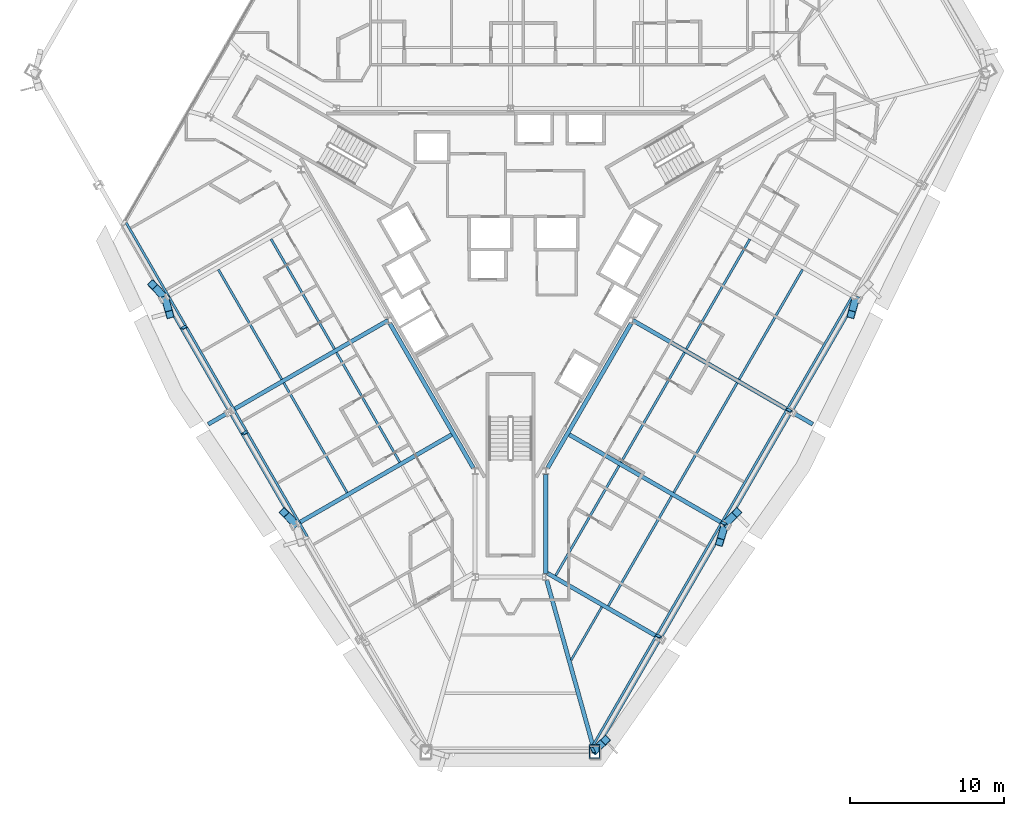
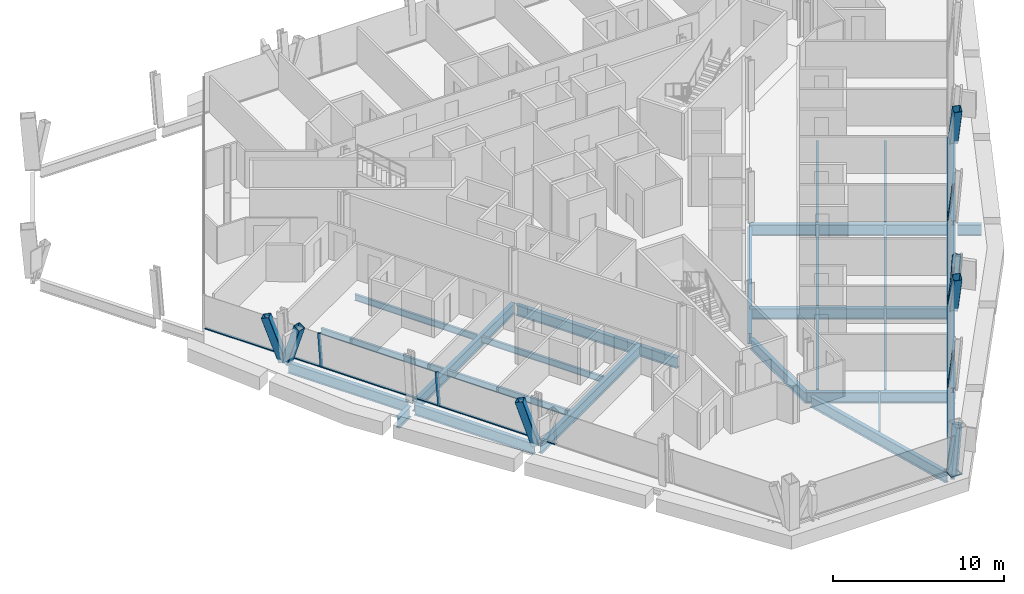
# One storey, part 3 of 17: 28 beams, 21 members, 2 elements without a shape of their own.
"""IFC4 building model written with IfcOpenShell, lengths in metres."""

from ifc_helpers import new_model, si_unit, direction, frame, origin, origin_2d, place, context, subcontext, project, spatial, rectangle, hollow_rectangle, i_section, extrude, material, material_profile, profile_set, type_object, element, aggregate, save


model = new_model("IFC4")

# Units and contexts
model_context = context("Model", 3, precision=1e-05, world=origin(), true_north=direction((0.0, 1.0)))
body_context = subcontext(model_context, "Body", "Model", "MODEL_VIEW")
ifc_project = project(units=[si_unit("LENGTHUNIT", "METRE"), si_unit("AREAUNIT", "SQUARE_METRE"), si_unit("VOLUMEUNIT", "CUBIC_METRE"), si_unit("PLANEANGLEUNIT", "RADIAN"), si_unit("MASSUNIT", "GRAM", prefix="KILO")], contexts=[model_context])

# Site, building, storey
site_placement = place(None, origin())
site = spatial("IfcSite", under=ifc_project, at=site_placement, CompositionType="ELEMENT")
building_placement = place(site_placement, origin())
building = spatial("IfcBuilding", under=site, at=building_placement, Name="Verrane Prism Tower", CompositionType="ELEMENT")
storey_placement = place(building_placement, frame((0.0, 0.0, 62.0)))
storey = spatial("IfcBuildingStorey", under=building, at=storey_placement, Name="L13", CompositionType="ELEMENT", Elevation=62.0)

# Beams
ifc_material_1 = material(Name="Steel A992", Category="steel")
ifc_material_profile_1 = material_profile(ifc_material_1, i_section(OverallWidth=0.2666015625, OverallDepth=0.7568359375, WebThickness=0.013916015625, FlangeThickness=0.019287109375, FilletRadius=0.0166015625, at=origin_2d()), Name="W30x108")
ifc_profile_set_1 = profile_set([ifc_material_profile_1], Name="Steel A992")
beam_type_1 = type_object("IfcBeamType", Name="Core ring girder W30x108", PredefinedType="BEAM", material=ifc_profile_set_1)
beam_1_placement = place(storey_placement, frame((-7.849609375, -4.808349609375, -0.62841796875), z_axis=(0.500013103396, -0.866017838403, 0.0), x_axis=(0.866017838403, 0.500013103396, 0.0)))
element("IfcBeam", 1, at=beam_1_placement, inside=storey, type_object=beam_type_1, Name="Core ring girder L13", PredefinedType="BEAM", context=body_context, shape_type="SweptSolid", body=[
    extrude(i_section(OverallWidth=0.2666015625, OverallDepth=0.7568359375, WebThickness=0.013916015625, FlangeThickness=0.019287109375, FilletRadius=0.0166015625, at=origin_2d()), origin(), (0.0, 0.0, 1.0), 10.858154296875),
])
beam_2_placement = place(storey_placement, frame((2.300048828125, -21.07275390625, -0.62841796875), z_axis=(0.0, 1.0, 0.0), x_axis=(-1.0, 0.0, 0.0)))
element("IfcBeam", 2, at=beam_2_placement, inside=storey, type_object=beam_type_1, Name="Core ring girder L13", PredefinedType="BEAM", context=body_context, shape_type="SweptSolid", body=[
    extrude(i_section(OverallWidth=0.2666015625, OverallDepth=0.7568359375, WebThickness=0.013916015625, FlangeThickness=0.019287109375, FilletRadius=0.0166015625, at=origin_2d()), origin(), (0.0, 0.0, 1.0), 6.4443359375),
])
beam_3_placement = place(storey_placement, frame((2.42041015625, -14.211669921875, -0.62841796875), z_axis=(0.500013103396, 0.866017838403, 0.0), x_axis=(-0.866017838403, 0.500013103396, 0.0)))
element("IfcBeam", 3, at=beam_3_placement, inside=storey, type_object=beam_type_1, Name="Core ring girder L13", PredefinedType="BEAM", context=body_context, shape_type="SweptSolid", body=[
    extrude(i_section(OverallWidth=0.2666015625, OverallDepth=0.7568359375, WebThickness=0.013916015625, FlangeThickness=0.019287109375, FilletRadius=0.0166015625, at=origin_2d()), origin(), (0.0, 0.0, 1.0), 10.858154296875),
])
ifc_material_2 = material(Name="Steel A992", Category="steel")
ifc_material_profile_2 = material_profile(ifc_material_2, i_section(OverallWidth=0.2666015625, OverallDepth=0.76708984375, WebThickness=0.014892578125, FlangeThickness=0.023681640625, FilletRadius=0.0166015625, at=origin_2d()), Name="W30x124")
ifc_profile_set_2 = profile_set([ifc_material_profile_2], Name="Steel A992")
beam_type_2 = type_object("IfcBeamType", Name="Corner girder W30x124", PredefinedType="BEAM", material=ifc_profile_set_2)
beam_4_placement = place(storey_placement, frame((5.344482421875, -32.2099609375, -0.603515625), z_axis=(-0.268799442753, 0.963196168792, 0.0), x_axis=(-0.963196168792, -0.268799442753, 0.0)))
element("IfcBeam", 4, at=beam_4_placement, inside=storey, type_object=beam_type_2, Name="Corner girder L13", PredefinedType="BEAM", context=body_context, shape_type="SweptSolid", body=[
    extrude(i_section(OverallWidth=0.2666015625, OverallDepth=0.76708984375, WebThickness=0.014892578125, FlangeThickness=0.023681640625, FilletRadius=0.0166015625, at=origin_2d()), origin(), (0.0, 0.0, 1.0), 11.0908203125),
])

# Members
ifc_material_3 = material(Name="Steel A1085 Grade A", Category="steel")
ifc_material_profile_3 = material_profile(ifc_material_3, hollow_rectangle(XDim=0.508056640625, YDim=0.508056640625, WallThickness=0.025390625, InnerFilletRadius=0.0126953125, OuterFilletRadius=0.0380859375, at=origin_2d()), Name="HSS20x20x1")
ifc_profile_set_3 = profile_set([ifc_material_profile_3], Name="Steel A1085 Grade A")
member_type_1 = type_object("IfcMemberType", Name="Facade brace HSS20x20x1", PredefinedType="BRACE", material=ifc_profile_set_3)
member_1_placement = place(storey_placement, frame((-22.56982421875, -3.055908203125, -0.197509765625), z_axis=(-0.232509102274, 0.248391929987, 0.940340877808), x_axis=(-0.730062490855, -0.683380391471, 0.0)))
element("IfcMember", 5, at=member_1_placement, inside=storey, type_object=member_type_1, Name="Facade brace SW1 L13", PredefinedType="BRACE", context=body_context, shape_type="SweptSolid", body=[
    extrude(hollow_rectangle(XDim=0.508056640625, YDim=0.508056640625, WallThickness=0.025390625, InnerFilletRadius=0.0126953125, OuterFilletRadius=0.0380859375, at=origin_2d()), origin(), (0.0, 0.0, 1.0), 3.151123046875),
])
member_2_placement = place(storey_placement, frame((-22.4541015625, -3.256591796875, -0.197509765625), z_axis=(0.087660798682, -0.307788538917, 0.947407937314), x_axis=(0.961753718089, 0.273915654429, 0.0)))
element("IfcMember", 6, at=member_2_placement, inside=storey, type_object=member_type_1, Name="Facade brace SW2 L13", PredefinedType="BRACE", context=body_context, shape_type="SweptSolid", body=[
    extrude(hollow_rectangle(XDim=0.508056640625, YDim=0.508056640625, WallThickness=0.025390625, InnerFilletRadius=0.0126953125, OuterFilletRadius=0.0380859375, at=origin_2d()), origin(), (0.0, 0.0, 1.0), 3.127685546875),
])
member_3_placement = place(storey_placement, frame((-14.045654296875, -17.813720703125, -0.197509765625), z_axis=(-0.223616513459, 0.227988903387, 0.947637438497), x_axis=(-0.713919444733, -0.700227838944, 0.0)))
element("IfcMember", 7, at=member_3_placement, inside=storey, type_object=member_type_1, Name="Facade brace SW3 L13", PredefinedType="BRACE", context=body_context, shape_type="SweptSolid", body=[
    extrude(hollow_rectangle(XDim=0.508056640625, YDim=0.508056640625, WallThickness=0.025390625, InnerFilletRadius=0.0126953125, OuterFilletRadius=0.0380859375, at=origin_2d()), origin(), (0.0, 0.0, 1.0), 3.126953125),
])
member_4_placement = place(storey_placement, frame((5.521240234375, -32.5712890625, -0.197509765625), z_axis=(0.21415383101, 0.207390250596, 0.954529947472), x_axis=(-0.695671871863, 0.718359691727, 0.0)))
element("IfcMember", 8, at=member_4_placement, inside=storey, type_object=member_type_1, Name="Facade brace SE0 L13", PredefinedType="BRACE", context=body_context, shape_type="SweptSolid", body=[
    extrude(hollow_rectangle(XDim=0.508056640625, YDim=0.508056640625, WallThickness=0.025390625, InnerFilletRadius=0.0126953125, OuterFilletRadius=0.0380859375, at=origin_2d()), origin(), (0.0, 0.0, 1.0), 3.104248046875),
])
member_5_placement = place(storey_placement, frame((13.9296875, -18.014404296875, -0.197509765625), z_axis=(-0.097885536817, -0.327111161009, 0.939902500276), x_axis=(0.958025808955, -0.286681965558, 0.0)))
element("IfcMember", 9, at=member_5_placement, inside=storey, type_object=member_type_1, Name="Facade brace SE1 L13", PredefinedType="BRACE", context=body_context, shape_type="SweptSolid", body=[
    extrude(hollow_rectangle(XDim=0.508056640625, YDim=0.508056640625, WallThickness=0.025390625, InnerFilletRadius=0.0126953125, OuterFilletRadius=0.0380859375, at=origin_2d()), origin(), (0.0, 0.0, 1.0), 3.152587890625),
])
member_6_placement = place(storey_placement, frame((14.045654296875, -17.813720703125, -0.197509765625), z_axis=(0.223616513459, 0.227988903387, 0.947637438497), x_axis=(-0.713919444733, 0.700227838944, 0.0)))
element("IfcMember", 10, at=member_6_placement, inside=storey, type_object=member_type_1, Name="Facade brace SE2 L13", PredefinedType="BRACE", context=body_context, shape_type="SweptSolid", body=[
    extrude(hollow_rectangle(XDim=0.508056640625, YDim=0.508056640625, WallThickness=0.025390625, InnerFilletRadius=0.0126953125, OuterFilletRadius=0.0380859375, at=origin_2d()), origin(), (0.0, 0.0, 1.0), 3.126953125),
])
member_7_placement = place(storey_placement, frame((22.4541015625, -3.256591796875, -0.197509765625), z_axis=(-0.087660798682, -0.307788538917, 0.947407937314), x_axis=(0.961753718089, -0.273915654429, 0.0)))
element("IfcMember", 11, at=member_7_placement, inside=storey, type_object=member_type_1, Name="Facade brace SE3 L13", PredefinedType="BRACE", context=body_context, shape_type="SweptSolid", body=[
    extrude(hollow_rectangle(XDim=0.508056640625, YDim=0.508056640625, WallThickness=0.025390625, InnerFilletRadius=0.0126953125, OuterFilletRadius=0.0380859375, at=origin_2d()), origin(), (0.0, 0.0, 1.0), 3.127685546875),
])

# Beams
ifc_material_4 = material(Name="Steel A992", Category="steel")
ifc_material_profile_4 = material_profile(ifc_material_4, i_section(OverallWidth=0.140380859375, OverallDepth=0.40380859375, WebThickness=0.007080078125, FlangeThickness=0.01123046875, FilletRadius=0.01025390625, at=origin_2d()), Name="W16x31")
ifc_profile_set_4 = profile_set([ifc_material_profile_4], Name="Steel A992")
beam_type_3 = type_object("IfcBeamType", Name="Floor beam W16x31", PredefinedType="BEAM", material=ifc_profile_set_4)
beam_5_placement = place(storey_placement, frame((3.950927734375, -26.719970703125, -0.36181640625), z_axis=(0.499997556188, 0.866026814715, 0.0), x_axis=(-0.866026814715, 0.499997556188, 0.0)))
element("IfcBeam", 12, at=beam_5_placement, inside=storey, type_object=beam_type_3, Name="Floor beam L13", PredefinedType="BEAM", context=body_context, shape_type="SweptSolid", body=[
    extrude(i_section(OverallWidth=0.140380859375, OverallDepth=0.40380859375, WebThickness=0.007080078125, FlangeThickness=0.01123046875, FilletRadius=0.01025390625, at=origin_2d()), origin(), (0.0, 0.0, 1.0), 3.99462890625),
])
ifc_material_5 = material(Name="Steel A992", Category="steel")
ifc_material_profile_5 = material_profile(ifc_material_5, i_section(OverallWidth=0.15234375, OverallDepth=0.449462890625, WebThickness=0.007568359375, FlangeThickness=0.0107421875, FilletRadius=0.01025390625, at=origin_2d()), Name="W18x35")
ifc_profile_set_5 = profile_set([ifc_material_profile_5], Name="Steel A992")
beam_type_4 = type_object("IfcBeamType", Name="Floor beam W18x35", PredefinedType="BEAM", material=ifc_profile_set_5)
beam_6_placement = place(storey_placement, frame((-11.4580078125, -6.461181640625, -0.384765625), z_axis=(-0.500002492643, 0.866023964651, 0.0), x_axis=(-0.866023964651, -0.500002492643, 0.0)))
element("IfcBeam", 13, at=beam_6_placement, inside=storey, type_object=beam_type_4, Name="Floor beam L13", PredefinedType="BEAM", context=body_context, shape_type="SweptSolid", body=[
    extrude(i_section(OverallWidth=0.15234375, OverallDepth=0.449462890625, WebThickness=0.007568359375, FlangeThickness=0.0107421875, FilletRadius=0.01025390625, at=origin_2d()), origin(), (0.0, 0.0, 1.0), 8.2509765625),
])
beam_7_placement = place(storey_placement, frame((-14.887451171875, -8.44287109375, -0.384765625), z_axis=(-0.499992194788, 0.866029910079, 0.0), x_axis=(-0.866029910079, -0.499992194788, 0.0)))
element("IfcBeam", 14, at=beam_7_placement, inside=storey, type_object=beam_type_4, Name="Floor beam L13", PredefinedType="BEAM", context=body_context, shape_type="SweptSolid", body=[
    extrude(i_section(OverallWidth=0.15234375, OverallDepth=0.449462890625, WebThickness=0.007568359375, FlangeThickness=0.0107421875, FilletRadius=0.01025390625, at=origin_2d()), origin(), (0.0, 0.0, 1.0), 8.252685546875),
])
beam_8_placement = place(storey_placement, frame((-7.2041015625, -13.841552734375, -0.384765625), z_axis=(-0.499999059579, 0.866025946736, 0.0), x_axis=(-0.866025946736, -0.499999059579, 0.0)))
element("IfcBeam", 15, at=beam_8_placement, inside=storey, type_object=beam_type_4, Name="Floor beam L13", PredefinedType="BEAM", context=body_context, shape_type="SweptSolid", body=[
    extrude(i_section(OverallWidth=0.15234375, OverallDepth=0.449462890625, WebThickness=0.007568359375, FlangeThickness=0.0107421875, FilletRadius=0.01025390625, at=origin_2d()), origin(), (0.0, 0.0, 1.0), 8.25146484375),
])
beam_9_placement = place(storey_placement, frame((-10.63232421875, -15.819091796875, -0.384765625), z_axis=(-0.499994031393, 0.866028849734, 0.0), x_axis=(-0.866028849734, -0.499994031393, 0.0)))
element("IfcBeam", 16, at=beam_9_placement, inside=storey, type_object=beam_type_4, Name="Floor beam L13", PredefinedType="BEAM", context=body_context, shape_type="SweptSolid", body=[
    extrude(i_section(OverallWidth=0.15234375, OverallDepth=0.449462890625, WebThickness=0.007568359375, FlangeThickness=0.0107421875, FilletRadius=0.01025390625, at=origin_2d()), origin(), (0.0, 0.0, 1.0), 8.24853515625),
])
beam_10_placement = place(storey_placement, frame((6.370361328125, -23.196044921875, -0.384765625), z_axis=(0.499992194788, 0.866029910079, 0.0), x_axis=(-0.866029910079, 0.499992194788, 0.0)))
element("IfcBeam", 17, at=beam_10_placement, inside=storey, type_object=beam_type_4, Name="Floor beam L13", PredefinedType="BEAM", context=body_context, shape_type="SweptSolid", body=[
    extrude(i_section(OverallWidth=0.15234375, OverallDepth=0.449462890625, WebThickness=0.007568359375, FlangeThickness=0.0107421875, FilletRadius=0.01025390625, at=origin_2d()), origin(), (0.0, 0.0, 1.0), 8.252685546875),
])
beam_11_placement = place(storey_placement, frame((2.944091796875, -21.2177734375, -0.384765625), z_axis=(0.499989680267, 0.866031361803, 0.0), x_axis=(-0.866031361803, 0.499989680267, 0.0)))
element("IfcBeam", 18, at=beam_11_placement, inside=storey, type_object=beam_type_4, Name="Floor beam L13", PredefinedType="BEAM", context=body_context, shape_type="SweptSolid", body=[
    extrude(i_section(OverallWidth=0.15234375, OverallDepth=0.449462890625, WebThickness=0.007568359375, FlangeThickness=0.0107421875, FilletRadius=0.01025390625, at=origin_2d()), origin(), (0.0, 0.0, 1.0), 8.251220703125),
])
beam_12_placement = place(storey_placement, frame((10.63232421875, -15.819091796875, -0.384765625), z_axis=(0.499994031393, 0.866028849734, 0.0), x_axis=(-0.866028849734, 0.499994031393, 0.0)))
element("IfcBeam", 19, at=beam_12_placement, inside=storey, type_object=beam_type_4, Name="Floor beam L13", PredefinedType="BEAM", context=body_context, shape_type="SweptSolid", body=[
    extrude(i_section(OverallWidth=0.15234375, OverallDepth=0.449462890625, WebThickness=0.007568359375, FlangeThickness=0.0107421875, FilletRadius=0.01025390625, at=origin_2d()), origin(), (0.0, 0.0, 1.0), 8.24853515625),
])
beam_13_placement = place(storey_placement, frame((7.2041015625, -13.841552734375, -0.384765625), z_axis=(0.499999059579, 0.866025946736, 0.0), x_axis=(-0.866025946736, 0.499999059579, 0.0)))
element("IfcBeam", 20, at=beam_13_placement, inside=storey, type_object=beam_type_4, Name="Floor beam L13", PredefinedType="BEAM", context=body_context, shape_type="SweptSolid", body=[
    extrude(i_section(OverallWidth=0.15234375, OverallDepth=0.449462890625, WebThickness=0.007568359375, FlangeThickness=0.0107421875, FilletRadius=0.01025390625, at=origin_2d()), origin(), (0.0, 0.0, 1.0), 8.25146484375),
])
beam_14_placement = place(storey_placement, frame((14.887451171875, -8.44287109375, -0.384765625), z_axis=(0.499992194788, 0.866029910079, 0.0), x_axis=(-0.866029910079, 0.499992194788, 0.0)))
element("IfcBeam", 21, at=beam_14_placement, inside=storey, type_object=beam_type_4, Name="Floor beam L13", PredefinedType="BEAM", context=body_context, shape_type="SweptSolid", body=[
    extrude(i_section(OverallWidth=0.15234375, OverallDepth=0.449462890625, WebThickness=0.007568359375, FlangeThickness=0.0107421875, FilletRadius=0.01025390625, at=origin_2d()), origin(), (0.0, 0.0, 1.0), 8.252685546875),
])
beam_15_placement = place(storey_placement, frame((11.4580078125, -6.461181640625, -0.384765625), z_axis=(0.500002492643, 0.866023964651, 0.0), x_axis=(-0.866023964651, 0.500002492643, 0.0)))
element("IfcBeam", 22, at=beam_15_placement, inside=storey, type_object=beam_type_4, Name="Floor beam L13", PredefinedType="BEAM", context=body_context, shape_type="SweptSolid", body=[
    extrude(i_section(OverallWidth=0.15234375, OverallDepth=0.449462890625, WebThickness=0.007568359375, FlangeThickness=0.0107421875, FilletRadius=0.01025390625, at=origin_2d()), origin(), (0.0, 0.0, 1.0), 8.2509765625),
])

# Member
ifc_material_6 = material(Name="Steel A572 Grade 50", Category="steel")
ifc_material_profile_6 = material_profile(ifc_material_6, hollow_rectangle(XDim=0.699951171875, YDim=0.89990234375, WallThickness=0.06494140625, at=origin_2d()), Name="BOX 900x700x65")
ifc_profile_set_6 = profile_set([ifc_material_profile_6], Name="Steel A572 Grade 50")
member_type_2 = type_object("IfcMemberType", Name="Kink node BOX 900x700x65", PredefinedType="COLLAR", material=ifc_profile_set_6)
member_8_placement = place(storey_placement, frame((5.470947265625, -32.66162109375, -0.0400390625), z_axis=(0.0, 0.0, 1.0), x_axis=(-1.0, 0.0, 0.0)))
element("IfcMember", 23, at=member_8_placement, inside=storey, type_object=member_type_2, Name="Kink node MC3 L13", PredefinedType="COLLAR", context=body_context, shape_type="SweptSolid", body=[
    extrude(hollow_rectangle(XDim=0.699951171875, YDim=0.89990234375, WallThickness=0.06494140625, at=origin_2d()), origin(), (0.0, 0.0, 1.0), 0.080078125),
])

# Curtain wall, members
ifc_material_7 = material(Name="Aluminium framed insulated glazing", Category="aluminium")
curtain_wall_type = type_object("IfcCurtainWallType", Name="Curtain wall CW-A 8400 module", PredefinedType="NOTDEFINED", material=ifc_material_7)
curtain_wall_1_placement = place(storey_placement, origin())
curtain_wall_1 = element("IfcCurtainWall", 24, at=curtain_wall_1_placement, inside=storey, type_object=curtain_wall_type, Name="Glazed curtain wall south-west face L13", PredefinedType="NOTDEFINED")
ifc_material_8 = material(Name="Aluminium alloy 6063-T6", Category="aluminium")
ifc_material_profile_7 = material_profile(ifc_material_8, rectangle(XDim=0.199951171875, YDim=0.070068359375, at=origin_2d()), Name="Mullion 70x200 aluminium")
ifc_profile_set_7 = profile_set([ifc_material_profile_7], Name="Aluminium alloy 6063-T6")
member_type_3 = type_object("IfcMemberType", Name="Mullion 70x200 aluminium", PredefinedType="MULLION", material=ifc_profile_set_7)
member_9_placement = place(storey_placement, frame((-21.123046875, -4.995849609375, 0.0), z_axis=(-0.098771561601, -0.057090705249, 0.99347110174), x_axis=(0.863445209619, -0.501207124806, 0.057041984795)))
member_9 = element("IfcMember", 25, at=member_9_placement, type_object=member_type_3, Name="CW12.4 mullion 2", PredefinedType="MULLION", context=body_context, shape_type="SweptSolid", body=[
    extrude(rectangle(XDim=0.199951171875, YDim=0.070068359375, at=origin_2d()), origin(), (0.0, 0.0, 1.0), 2.6298828125),
])
member_10_placement = place(storey_placement, frame((-17.1591796875, -11.861328125, 0.0), z_axis=(-0.098771561601, -0.057090705249, 0.99347110174), x_axis=(0.863445209619, -0.501207124806, 0.057041984795)))
member_10 = element("IfcMember", 26, at=member_10_placement, type_object=member_type_3, Name="CW12.4 mullion 3", PredefinedType="MULLION", context=body_context, shape_type="SweptSolid", body=[
    extrude(rectangle(XDim=0.199951171875, YDim=0.070068359375, at=origin_2d()), origin(), (0.0, 0.0, 1.0), 2.6298828125),
])

curtain_wall_2_placement = place(storey_placement, origin())
curtain_wall_2 = element("IfcCurtainWall", 27, at=curtain_wall_2_placement, inside=storey, type_object=curtain_wall_type, Name="Glazed curtain wall south-east face L13", PredefinedType="NOTDEFINED")
member_11_placement = place(storey_placement, frame((5.285400390625, -32.427490234375, 0.0), z_axis=(0.058948163504, -0.125299550054, 0.99036616298), x_axis=(-0.994435053625, 0.07940540267, 0.069236595438)))
member_11 = element("IfcMember", 28, at=member_11_placement, type_object=member_type_3, Name="CW12.6 mullion 1", PredefinedType="MULLION", context=body_context, shape_type="SweptSolid", body=[
    extrude(rectangle(XDim=0.199951171875, YDim=0.070068359375, at=origin_2d()), origin(), (0.0, 0.0, 1.0), 2.63818359375),
])
member_12_placement = place(storey_placement, frame((9.513671875, -25.103515625, 0.0), z_axis=(0.098771561601, -0.057090705249, 0.99347110174), x_axis=(-0.863445118187, -0.501207284397, 0.057041966534)))
member_12 = element("IfcMember", 29, at=member_12_placement, type_object=member_type_3, Name="CW12.6 mullion 2", PredefinedType="MULLION", context=body_context, shape_type="SweptSolid", body=[
    extrude(rectangle(XDim=0.199951171875, YDim=0.070068359375, at=origin_2d()), origin(), (0.0, 0.0, 1.0), 2.6298828125),
])
member_13_placement = place(storey_placement, frame((13.759521484375, -17.74951171875, 0.0), z_axis=(0.098863485114, -0.057090181545, 0.993461988444), x_axis=(-0.863237153719, -0.501560867318, 0.057081632901)))
member_13 = element("IfcMember", 30, at=member_13_placement, type_object=member_type_3, Name="CW12.6 mullion 3", PredefinedType="MULLION", context=body_context, shape_type="SweptSolid", body=[
    extrude(rectangle(XDim=0.199951171875, YDim=0.070068359375, at=origin_2d()), origin(), (0.0, 0.0, 1.0), 2.6298828125),
])
member_14_placement = place(storey_placement, frame((18.005615234375, -10.3955078125, 0.0), z_axis=(0.098772084644, -0.056998176665, 0.993476362654), x_axis=(-0.863093944803, -0.501814377816, 0.057019055251)))
member_14 = element("IfcMember", 31, at=member_14_placement, type_object=member_type_3, Name="CW12.6 mullion 4", PredefinedType="MULLION", context=body_context, shape_type="SweptSolid", body=[
    extrude(rectangle(XDim=0.199951171875, YDim=0.070068359375, at=origin_2d()), origin(), (0.0, 0.0, 1.0), 2.6298828125),
])

# Beams
ifc_material_9 = material(Name="Steel A992", Category="steel")
ifc_material_profile_8 = material_profile(ifc_material_9, i_section(OverallWidth=0.2666015625, OverallDepth=0.76708984375, WebThickness=0.014892578125, FlangeThickness=0.023681640625, FilletRadius=0.0166015625, at=origin_2d()), Name="W30x124")
ifc_profile_set_8 = profile_set([ifc_material_profile_8], Name="Steel A992")
beam_type_5 = type_object("IfcBeamType", Name="Radial girder W30x124", PredefinedType="BEAM", material=ifc_profile_set_8)
beam_16_placement = place(storey_placement, frame((-18.02001953125, -10.4072265625, -0.603515625), z_axis=(0.866018505729, 0.500011947592, 0.0), x_axis=(-0.500011947592, 0.866018505729, 0.0)))
element("IfcBeam", 32, at=beam_16_placement, inside=storey, type_object=beam_type_5, Name="Radial girder L13", PredefinedType="BEAM", context=body_context, shape_type="SweptSolid", body=[
    extrude(i_section(OverallWidth=0.2666015625, OverallDepth=0.76708984375, WebThickness=0.014892578125, FlangeThickness=0.023681640625, FilletRadius=0.0166015625, at=origin_2d()), origin(), (0.0, 0.0, 1.0), 11.607177734375),
])
beam_17_placement = place(storey_placement, frame((-13.760009765625, -17.77734375, -0.603515625), z_axis=(0.86601774804, 0.500013259905, 0.0), x_axis=(-0.500013259905, 0.86601774804, 0.0)))
element("IfcBeam", 33, at=beam_17_placement, inside=storey, type_object=beam_type_5, Name="Radial girder L13", PredefinedType="BEAM", context=body_context, shape_type="SweptSolid", body=[
    extrude(i_section(OverallWidth=0.2666015625, OverallDepth=0.76708984375, WebThickness=0.014892578125, FlangeThickness=0.023681640625, FilletRadius=0.0166015625, at=origin_2d()), origin(), (0.0, 0.0, 1.0), 11.603271484375),
])
beam_18_placement = place(storey_placement, frame((9.5, -25.1572265625, -0.603515625), z_axis=(-0.86602078527, 0.500007999416, 0.0), x_axis=(-0.500007999416, -0.86602078527, 0.0)))
element("IfcBeam", 34, at=beam_18_placement, inside=storey, type_object=beam_type_5, Name="Radial girder L13", PredefinedType="BEAM", context=body_context, shape_type="SweptSolid", body=[
    extrude(i_section(OverallWidth=0.2666015625, OverallDepth=0.76708984375, WebThickness=0.014892578125, FlangeThickness=0.023681640625, FilletRadius=0.0166015625, at=origin_2d()), origin(), (0.0, 0.0, 1.0), 8.313720703125),
])
beam_19_placement = place(storey_placement, frame((13.760009765625, -17.77734375, -0.603515625), z_axis=(-0.86601774804, 0.500013259905, 0.0), x_axis=(-0.500013259905, -0.86601774804, 0.0)))
element("IfcBeam", 35, at=beam_19_placement, inside=storey, type_object=beam_type_5, Name="Radial girder L13", PredefinedType="BEAM", context=body_context, shape_type="SweptSolid", body=[
    extrude(i_section(OverallWidth=0.2666015625, OverallDepth=0.76708984375, WebThickness=0.014892578125, FlangeThickness=0.023681640625, FilletRadius=0.0166015625, at=origin_2d()), origin(), (0.0, 0.0, 1.0), 11.603271484375),
])
beam_20_placement = place(storey_placement, frame((18.02001953125, -10.4072265625, -0.603515625), z_axis=(-0.866018505729, 0.500011947592, 0.0), x_axis=(-0.500011947592, -0.866018505729, 0.0)))
element("IfcBeam", 36, at=beam_20_placement, inside=storey, type_object=beam_type_5, Name="Radial girder L13", PredefinedType="BEAM", context=body_context, shape_type="SweptSolid", body=[
    extrude(i_section(OverallWidth=0.2666015625, OverallDepth=0.76708984375, WebThickness=0.014892578125, FlangeThickness=0.023681640625, FilletRadius=0.0166015625, at=origin_2d()), origin(), (0.0, 0.0, 1.0), 11.607177734375),
])
beam_21_placement = place(storey_placement, frame((-18.476318359375, -10.670654296875, -0.603515625), z_axis=(-0.866036123695, -0.499981432111, 0.0), x_axis=(0.499981432111, -0.866036123695, 0.0)))
element("IfcBeam", 37, at=beam_21_placement, inside=storey, type_object=beam_type_5, Name="Cantilever girder L13", PredefinedType="BEAM", context=body_context, shape_type="SweptSolid", body=[
    extrude(i_section(OverallWidth=0.2666015625, OverallDepth=0.76708984375, WebThickness=0.014892578125, FlangeThickness=0.023681640625, FilletRadius=0.0166015625, at=origin_2d()), origin(), (0.0, 0.0, 1.0), 1.38720703125),
])
beam_22_placement = place(storey_placement, frame((18.476318359375, -10.670654296875, -0.603515625), z_axis=(0.866047903128, -0.499961027969, 0.0), x_axis=(0.499961027969, 0.866047903128, 0.0)))
element("IfcBeam", 38, at=beam_22_placement, inside=storey, type_object=beam_type_5, Name="Cantilever girder L13", PredefinedType="BEAM", context=body_context, shape_type="SweptSolid", body=[
    extrude(i_section(OverallWidth=0.2666015625, OverallDepth=0.76708984375, WebThickness=0.014892578125, FlangeThickness=0.023681640625, FilletRadius=0.0166015625, at=origin_2d()), origin(), (0.0, 0.0, 1.0), 1.3876953125),
])
ifc_material_10 = material(Name="Steel A992", Category="steel")
ifc_material_profile_9 = material_profile(ifc_material_10, i_section(OverallWidth=0.2666015625, OverallDepth=0.7568359375, WebThickness=0.013916015625, FlangeThickness=0.019287109375, FilletRadius=0.0166015625, at=origin_2d()), Name="W30x108")
ifc_profile_set_9 = profile_set([ifc_material_profile_9], Name="Steel A992")
beam_type_6 = type_object("IfcBeamType", Name="Spandrel beam W30x108", PredefinedType="SPANDREL", material=ifc_profile_set_9)
beam_23_placement = place(storey_placement, frame((-22.3994140625, -3.351318359375, -0.53857421875), z_axis=(0.499899459246, -0.866083443235, 0.0), x_axis=(0.866083443235, 0.499899459246, 0.0)))
element("IfcBeam", 39, at=beam_23_placement, inside=storey, type_object=beam_type_6, Name="Spandrel beam L13", PredefinedType="SPANDREL", context=body_context, shape_type="SweptSolid", body=[
    extrude(i_section(OverallWidth=0.2666015625, OverallDepth=0.7568359375, WebThickness=0.013916015625, FlangeThickness=0.019287109375, FilletRadius=0.0166015625, at=origin_2d()), origin(), (0.0, 0.0, 1.0), 8.079345703125),
])
beam_24_placement = place(storey_placement, frame((-18.139404296875, -10.731201171875, -0.53857421875), z_axis=(0.500423240289, -0.865780907955, 0.0), x_axis=(0.865780907955, 0.500423240289, 0.0)))
element("IfcBeam", 40, at=beam_24_placement, inside=storey, type_object=beam_type_6, Name="Spandrel beam L13", PredefinedType="SPANDREL", context=body_context, shape_type="SweptSolid", body=[
    extrude(i_section(OverallWidth=0.2666015625, OverallDepth=0.7568359375, WebThickness=0.013916015625, FlangeThickness=0.019287109375, FilletRadius=0.0166015625, at=origin_2d()), origin(), (0.0, 0.0, 1.0), 8.07080078125),
])
beam_25_placement = place(storey_placement, frame((5.72998046875, -32.2099609375, -0.53857421875), z_axis=(0.500439305817, 0.865771621846, 0.0), x_axis=(-0.865771621846, 0.500439305817, 0.0)))
element("IfcBeam", 41, at=beam_25_placement, inside=storey, type_object=beam_type_6, Name="Spandrel beam L13", PredefinedType="SPANDREL", context=body_context, shape_type="SweptSolid", body=[
    extrude(i_section(OverallWidth=0.2666015625, OverallDepth=0.7568359375, WebThickness=0.013916015625, FlangeThickness=0.019287109375, FilletRadius=0.0166015625, at=origin_2d()), origin(), (0.0, 0.0, 1.0), 7.77197265625),
])
beam_26_placement = place(storey_placement, frame((9.840576171875, -25.0986328125, -0.53857421875), z_axis=(0.499899459246, 0.866083443235, 0.0), x_axis=(-0.866083443235, 0.499899459246, 0.0)))
element("IfcBeam", 42, at=beam_26_placement, inside=storey, type_object=beam_type_6, Name="Spandrel beam L13", PredefinedType="SPANDREL", context=body_context, shape_type="SweptSolid", body=[
    extrude(i_section(OverallWidth=0.2666015625, OverallDepth=0.7568359375, WebThickness=0.013916015625, FlangeThickness=0.019287109375, FilletRadius=0.0166015625, at=origin_2d()), origin(), (0.0, 0.0, 1.0), 8.079345703125),
])
beam_27_placement = place(storey_placement, frame((14.1005859375, -17.71875, -0.53857421875), z_axis=(0.500423240289, 0.865780907955, 0.0), x_axis=(-0.865780907955, 0.500423240289, 0.0)))
element("IfcBeam", 43, at=beam_27_placement, inside=storey, type_object=beam_type_6, Name="Spandrel beam L13", PredefinedType="SPANDREL", context=body_context, shape_type="SweptSolid", body=[
    extrude(i_section(OverallWidth=0.2666015625, OverallDepth=0.7568359375, WebThickness=0.013916015625, FlangeThickness=0.019287109375, FilletRadius=0.0166015625, at=origin_2d()), origin(), (0.0, 0.0, 1.0), 8.07080078125),
])
beam_28_placement = place(storey_placement, frame((18.360595703125, -10.3486328125, -0.53857421875), z_axis=(0.499899459246, 0.866083443235, 0.0), x_axis=(-0.866083443235, 0.499899459246, 0.0)))
element("IfcBeam", 44, at=beam_28_placement, inside=storey, type_object=beam_type_6, Name="Spandrel beam L13", PredefinedType="SPANDREL", context=body_context, shape_type="SweptSolid", body=[
    extrude(i_section(OverallWidth=0.2666015625, OverallDepth=0.7568359375, WebThickness=0.013916015625, FlangeThickness=0.019287109375, FilletRadius=0.0166015625, at=origin_2d()), origin(), (0.0, 0.0, 1.0), 8.079345703125),
])

# Member
ifc_material_11 = material(Name="Aluminium alloy 6063-T6", Category="aluminium")
ifc_material_profile_10 = material_profile(ifc_material_11, rectangle(XDim=0.14990234375, YDim=0.070068359375, at=origin_2d()), Name="Transom 70x150 aluminium")
ifc_profile_set_10 = profile_set([ifc_material_profile_10], Name="Aluminium alloy 6063-T6")
member_type_4 = type_object("IfcMemberType", Name="Transom 70x150 aluminium", PredefinedType="USERDEFINED", material=ifc_profile_set_10)
member_15_placement = place(storey_placement, frame((-25.0517578125, 1.808837890625, 0.034912109375), z_axis=(0.500016027764, -0.866016149953, 0.0), x_axis=(0.866016149953, 0.500016027764, 0.0)))
member_15 = element("IfcMember", 45, at=member_15_placement, type_object=member_type_4, Name="CW12.4 transom 1", ObjectType="TRANSOM", PredefinedType="USERDEFINED", context=body_context, shape_type="SweptSolid", body=[
    extrude(rectangle(XDim=0.14990234375, YDim=0.070068359375, at=origin_2d()), origin(), (0.0, 0.0, 1.0), 7.822509765625),
])

member_16_placement = place(storey_placement, frame((-21.10546875, -5.0263671875, 0.034912109375), z_axis=(0.500002174158, -0.86602414853, 0.0), x_axis=(0.86602414853, 0.500002174158, 0.0)))
member_16 = element("IfcMember", 46, at=member_16_placement, type_object=member_type_4, Name="CW12.4 transom 2", ObjectType="TRANSOM", PredefinedType="USERDEFINED", context=body_context, shape_type="SweptSolid", body=[
    extrude(rectangle(XDim=0.14990234375, YDim=0.070068359375, at=origin_2d()), origin(), (0.0, 0.0, 1.0), 7.857421875),
])

member_17_placement = place(storey_placement, frame((-17.1416015625, -11.8916015625, 0.034912109375), z_axis=(0.499988720078, -0.866031916153, 0.0), x_axis=(0.866031916153, 0.499988720078, 0.0)))
member_17 = element("IfcMember", 47, at=member_17_placement, type_object=member_type_4, Name="CW12.4 transom 3", ObjectType="TRANSOM", PredefinedType="USERDEFINED", context=body_context, shape_type="SweptSolid", body=[
    extrude(rectangle(XDim=0.14990234375, YDim=0.070068359375, at=origin_2d()), origin(), (0.0, 0.0, 1.0), 7.857666015625),
])

aggregate(curtain_wall_1, [member_9, member_10, member_15, member_16, member_17])

member_18_placement = place(storey_placement, frame((5.302978515625, -32.39697265625, 0.034912109375), z_axis=(0.500008882625, 0.866020275338, 0.0), x_axis=(-0.866020275338, 0.500008882625, 0.0)))
member_18 = element("IfcMember", 48, at=member_18_placement, type_object=member_type_4, Name="CW12.6 transom 1", ObjectType="TRANSOM", PredefinedType="USERDEFINED", context=body_context, shape_type="SweptSolid", body=[
    extrude(rectangle(XDim=0.14990234375, YDim=0.070068359375, at=origin_2d()), origin(), (0.0, 0.0, 1.0), 8.386474609375),
])

member_19_placement = place(storey_placement, frame((9.53125, -25.0732421875, 0.034912109375), z_axis=(0.500005175824, 0.866022415501, 0.0), x_axis=(-0.866022415501, 0.500005175824, 0.0)))
member_19 = element("IfcMember", 49, at=member_19_placement, type_object=member_type_4, Name="CW12.6 transom 2", ObjectType="TRANSOM", PredefinedType="USERDEFINED", context=body_context, shape_type="SweptSolid", body=[
    extrude(rectangle(XDim=0.14990234375, YDim=0.070068359375, at=origin_2d()), origin(), (0.0, 0.0, 1.0), 8.421875),
])

member_20_placement = place(storey_placement, frame((13.777099609375, -17.71923828125, 0.034912109375), z_axis=(0.500005175824, 0.866022415501, 0.0), x_axis=(-0.866022415501, 0.500005175824, 0.0)))
member_20 = element("IfcMember", 50, at=member_20_placement, type_object=member_type_4, Name="CW12.6 transom 3", ObjectType="TRANSOM", PredefinedType="USERDEFINED", context=body_context, shape_type="SweptSolid", body=[
    extrude(rectangle(XDim=0.14990234375, YDim=0.070068359375, at=origin_2d()), origin(), (0.0, 0.0, 1.0), 8.421875),
])

member_21_placement = place(storey_placement, frame((18.02294921875, -10.365234375, 0.034912109375), z_axis=(0.500005175824, 0.866022415501, 0.0), x_axis=(-0.866022415501, 0.500005175824, 0.0)))
member_21 = element("IfcMember", 51, at=member_21_placement, type_object=member_type_4, Name="CW12.6 transom 4", ObjectType="TRANSOM", PredefinedType="USERDEFINED", context=body_context, shape_type="SweptSolid", body=[
    extrude(rectangle(XDim=0.14990234375, YDim=0.070068359375, at=origin_2d()), origin(), (0.0, 0.0, 1.0), 8.421875),
])

aggregate(curtain_wall_2, [member_11, member_12, member_13, member_14, member_18, member_19, member_20, member_21])

save(model, "model.ifc")
